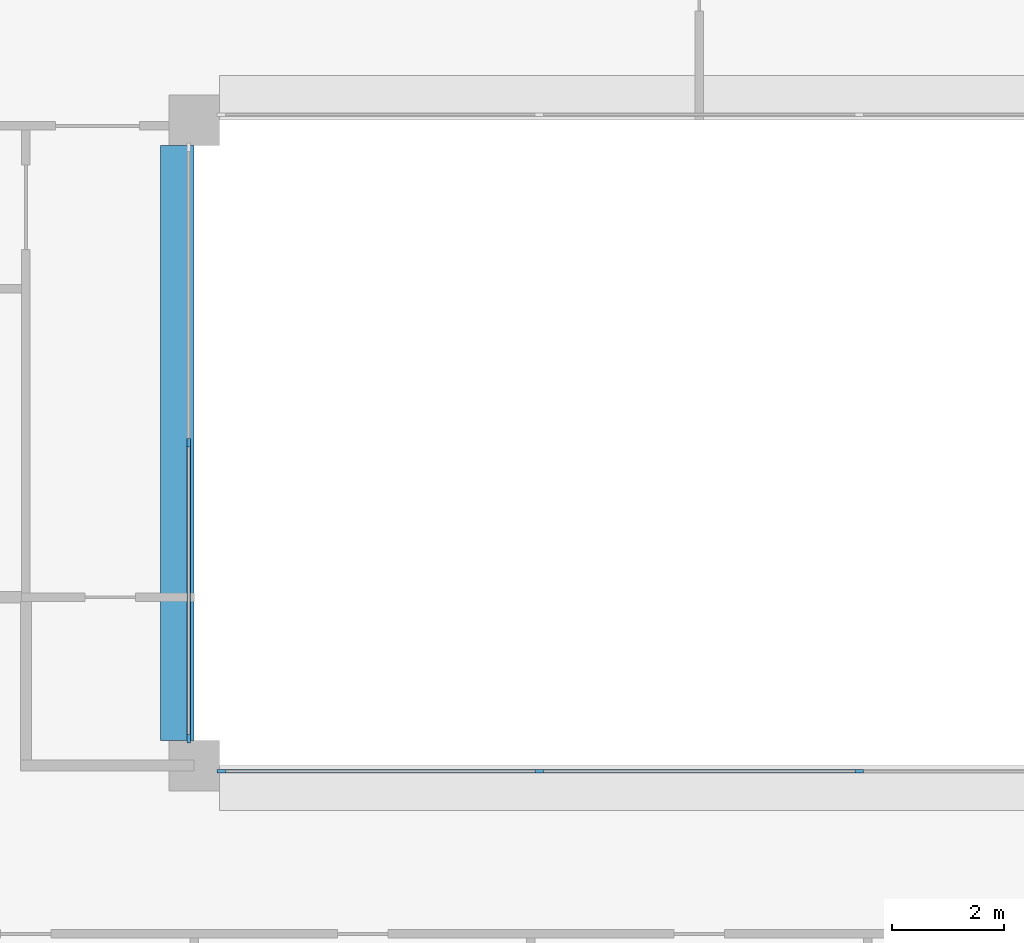
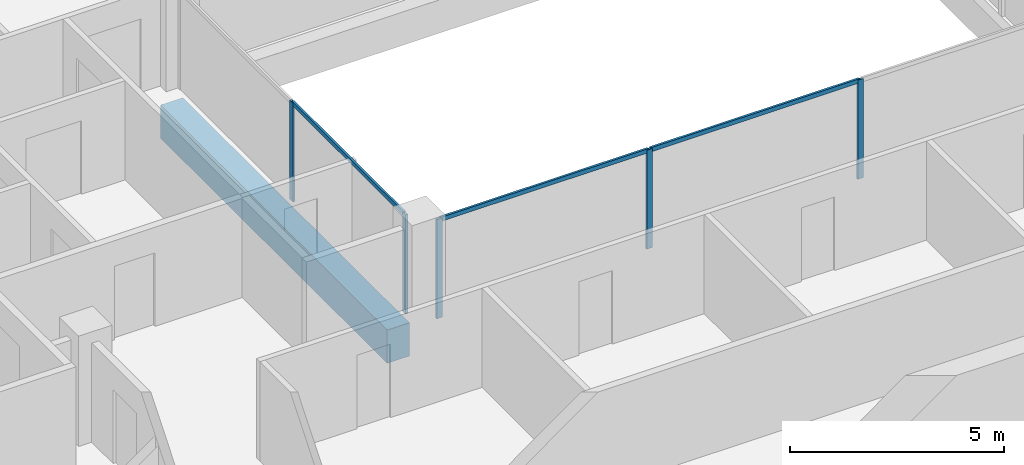
# One storey, part 2 of 16: 8 members, 1 beam, 2 elements without a shape of their own.
"""IFC4 building model written with IfcOpenShell, lengths in metres."""

import ifcopenshell
import ifcopenshell.guid

model = None  # the IFC model being written
_history = None  # IfcOwnerHistory: only IFC2X3 demands one
_inside = {}  # id of a spatial element -> (the spatial element, [elements in it])
_under = {}  # id of a project, library or spatial element -> (it, [spatial elements below it])
_declared = {}  # id of a project -> (the project, [libraries it declares])
_typed = {}  # id of a type object -> (the type object, [elements of that type])
_made_of = {}  # id of a material, layer set ... -> (it, [elements and type objects made of it])


def new_model(schema):
    """Start an empty IFC model of exactly this schema.

    Asked for "IFC4X3", IfcOpenShell would pick the latest addendum, in which some entities
    have other attributes; the version numbers below select the first issue.
    IFC2X3 requires an IfcOwnerHistory on every rooted entity: one is made here for all.
    """
    global model, _history
    if schema == "IFC4X3":
        model = ifcopenshell.file(schema_version=(4, 3, 0, 0))
    else:
        model = ifcopenshell.file(schema=schema)
    _inside.clear()
    _under.clear()
    _declared.clear()
    _typed.clear()
    _made_of.clear()
    _history = None
    if model.schema == "IFC2X3":
        org = make("IfcOrganization", Name="unknown")
        user = make(
            "IfcPersonAndOrganization",
            ThePerson=make("IfcPerson", FamilyName="unknown"),
            TheOrganization=org,
        )
        app = make(
            "IfcApplication",
            ApplicationDeveloper=org,
            Version="unknown",
            ApplicationFullName="unknown",
            ApplicationIdentifier="unknown",
        )
        _history = make(
            "IfcOwnerHistory",
            OwningUser=user,
            OwningApplication=app,
            ChangeAction="ADDED",
            CreationDate=0,
        )
    return model


def make(cls, **values):
    """One entity of the class cls with the attributes given. An attribute that is None is left unset."""
    return model.create_entity(
        cls, **{name: value for name, value in values.items() if value is not None}
    )


def rooted(cls, **values):
    """An entity with a GlobalId (a new one), such as an element, a storey or a relation."""
    return make(cls, GlobalId=ifcopenshell.guid.new(), OwnerHistory=_history, **values)


def si_unit(unit_type, name, prefix=None):
    """IfcSIUnit, for example si_unit("LENGTHUNIT", "METRE", prefix="MILLI")."""
    return make("IfcSIUnit", UnitType=unit_type, Prefix=prefix, Name=name)


def assignment(units):
    """IfcUnitAssignment: the units of a project."""
    return None if units is None else make("IfcUnitAssignment", Units=units)


def point(xyz):
    """IfcCartesianPoint."""
    return None if xyz is None else make("IfcCartesianPoint", Coordinates=xyz)


def direction(xyz):
    """IfcDirection."""
    return None if xyz is None else make("IfcDirection", DirectionRatios=xyz)


def frame(location, z_axis=None, x_axis=None):
    """IfcAxis2Placement3D, a coordinate frame: its origin and axes. An axis left out is left unset."""
    return make(
        "IfcAxis2Placement3D",
        Location=point(location),
        Axis=direction(z_axis),
        RefDirection=direction(x_axis),
    )


def frame_2d(location, x_axis=None):
    """IfcAxis2Placement2D, a coordinate frame in the plane: its origin and x axis."""
    return make(
        "IfcAxis2Placement2D", Location=point(location), RefDirection=direction(x_axis)
    )


def origin():
    """The frame at (0, 0, 0) with its axes left unset."""
    return frame((0.0, 0.0, 0.0))


def origin_2d():
    """The frame at (0, 0) in the plane with its x axis left unset."""
    return frame_2d((0.0, 0.0))


def place(relative_to, where):
    """IfcLocalPlacement: puts the frame where relative to a parent placement (None: the world)."""
    return make(
        "IfcLocalPlacement", PlacementRelTo=relative_to, RelativePlacement=where
    )


def context(
    kind, dimensions, precision=None, world=None, true_north=None, identifier=None
):
    """IfcGeometricRepresentationContext, for example the 3D "Model" context."""
    return make(
        "IfcGeometricRepresentationContext",
        ContextIdentifier=identifier,
        ContextType=kind,
        CoordinateSpaceDimension=dimensions,
        Precision=precision,
        WorldCoordinateSystem=world,
        TrueNorth=true_north,
    )


def subcontext(parent, identifier, kind, view, scale=None):
    """IfcGeometricRepresentationSubContext, for example "Body" below "Model"."""
    return make(
        "IfcGeometricRepresentationSubContext",
        ContextIdentifier=identifier,
        ContextType=kind,
        ParentContext=parent,
        TargetScale=scale,
        TargetView=view,
    )


def project(units=None, contexts=None):
    """IfcProject with its units and contexts."""
    return rooted(
        "IfcProject",
        Name="project",
        RepresentationContexts=contexts,
        UnitsInContext=assignment(units),
    )


def spatial(cls, under=None, at=None, **own):
    """A site, building, storey or space (cls), placed at a placement, below another one or the project."""
    s = rooted(cls, ObjectPlacement=at, **own)
    if under is not None:
        _under.setdefault(under.id(), (under, []))[1].append(s)
    return s


def profile(cls, at=None, kind="AREA", **sizes):
    """A parametric profile (cls). Its sizes go by their IFC names, for example OverallWidth=200.0."""
    return make(cls, ProfileType=kind, Position=at, **sizes)


def rectangle(**sizes):
    """IfcRectangleProfileDef."""
    return profile("IfcRectangleProfileDef", **sizes)


def extrude(swept, where, along, depth):
    """IfcExtrudedAreaSolid: the profile swept, set in the frame where, extruded along a direction by depth."""
    return make(
        "IfcExtrudedAreaSolid",
        SweptArea=swept,
        Position=where,
        ExtrudedDirection=direction(along),
        Depth=depth,
    )


def shape(context_of_items, identifier, shape_type, items):
    """IfcShapeRepresentation: the items that make up one representation, for example the "Body"."""
    return make(
        "IfcShapeRepresentation",
        ContextOfItems=context_of_items,
        RepresentationIdentifier=identifier,
        RepresentationType=shape_type,
        Items=items,
    )


def material(Name=None, Category=None):
    """IfcMaterial."""
    return make("IfcMaterial", Name=Name, Category=Category)


def layer(
    of_material, thickness, ventilated=None, Name=None, Category=None, Priority=None
):
    """IfcMaterialLayer: one layer of a wall or slab, of a material (None: an air gap)."""
    return make(
        "IfcMaterialLayer",
        Material=of_material,
        LayerThickness=thickness,
        IsVentilated=ventilated,
        Name=Name,
        Category=Category,
        Priority=Priority,
    )


def layer_set(layers, Name=None):
    """IfcMaterialLayerSet."""
    return make("IfcMaterialLayerSet", MaterialLayers=layers, LayerSetName=Name)


def material_profile(
    of_material, cross_section, Name=None, Category=None, Priority=None
):
    """IfcMaterialProfile: a cross section and its material."""
    return make(
        "IfcMaterialProfile",
        Name=Name,
        Material=of_material,
        Profile=cross_section,
        Priority=Priority,
        Category=Category,
    )


def profile_set(profiles, Name=None, composite=None):
    """IfcMaterialProfileSet."""
    return make(
        "IfcMaterialProfileSet",
        Name=Name,
        MaterialProfiles=profiles,
        CompositeProfile=composite,
    )


def made_of(thing, what):
    """Note that an element or type object is made of a material, layer set ...; save() writes the relation."""
    if what is not None:
        _made_of.setdefault(what.id(), (what, []))[1].append(thing)
    return thing


def type_object(cls, material=None, **own):
    """A type object (cls), such as IfcWallType, which elements share."""
    return made_of(rooted(cls, **own), material)


def element(
    cls,
    number,
    at=None,
    inside=None,
    cuts=None,
    type_object=None,
    material=None,
    context=None,
    identifier="Body",
    shape_type=None,
    held_by="IfcProductDefinitionShape",
    body=None,
    shapes=None,
    **own,
):
    """One element of the class cls, such as IfcWall. Its Tag is "e" and its number.

    at: its placement. inside: the storey or other place that contains it. cuts: it is an
    opening in that element (IfcRelVoidsElement). A single representation is given by context,
    identifier, shape_type and body (its items); several are given by shapes. held_by: the class
    of the entity that holds the representations. save() writes the other relations.
    """
    e = rooted(cls, Tag="e%d" % number, ObjectPlacement=at, **own)
    if body is not None:
        shapes = [shape(context, identifier, shape_type, body)]
    if shapes is not None:
        e.Representation = make(held_by, Representations=shapes)
    if inside is not None:
        _inside.setdefault(inside.id(), (inside, []))[1].append(e)
    if cuts is not None:
        rooted(
            "IfcRelVoidsElement", RelatingBuildingElement=cuts, RelatedOpeningElement=e
        )
    if type_object is not None:
        _typed.setdefault(type_object.id(), (type_object, []))[1].append(e)
    return made_of(e, material)


def aggregate(whole, parts):
    """IfcRelAggregates: a whole, such as a stair, and the parts it consists of."""
    return rooted("IfcRelAggregates", RelatingObject=whole, RelatedObjects=parts)


def save(model, path):
    """Write the relations noted so far, then the file.

    IfcRelAggregates (storeys below a building ...), IfcRelContainedInSpatialStructure (elements
    in a storey), IfcRelDefinesByType, IfcRelAssociatesMaterial and IfcRelDeclares: one each for
    every whole, place, type object, material and project.
    """
    for whole, parts in _under.values():
        aggregate(whole, parts)
    for where, things in _inside.values():
        rooted(
            "IfcRelContainedInSpatialStructure",
            RelatedElements=things,
            RelatingStructure=where,
        )
    for kind, things in _typed.values():
        rooted("IfcRelDefinesByType", RelatedObjects=things, RelatingType=kind)
    for what, things in _made_of.values():
        rooted("IfcRelAssociatesMaterial", RelatedObjects=things, RelatingMaterial=what)
    for by, libraries in _declared.values():
        rooted("IfcRelDeclares", RelatingContext=by, RelatedDefinitions=libraries)
    model.write(path)


model = new_model("IFC4")

# Units and contexts
model_context = context("Model", 3, precision=1e-05, world=origin(), true_north=direction((0.0, 1.0)))
body_context = subcontext(model_context, "Body", "Model", "MODEL_VIEW")
ifc_project = project(units=[si_unit("LENGTHUNIT", "METRE"), si_unit("AREAUNIT", "SQUARE_METRE"), si_unit("VOLUMEUNIT", "CUBIC_METRE"), si_unit("PLANEANGLEUNIT", "RADIAN"), si_unit("MASSUNIT", "GRAM", prefix="KILO")], contexts=[model_context])

# Site, building, storey
site_placement = place(None, origin())
site = spatial("IfcSite", under=ifc_project, at=site_placement, CompositionType="ELEMENT")
building_placement = place(site_placement, origin())
building = spatial("IfcBuilding", under=site, at=building_placement, Name="Brigalow Station Residences", CompositionType="ELEMENT")
storey_placement = place(building_placement, frame((0.0, 0.0, 201.14990234375)))
storey = spatial("IfcBuildingStorey", under=building, at=storey_placement, Name="L57", CompositionType="ELEMENT", Elevation=201.14990234375)

# Beam
ifc_material_1 = material(Name="Concrete C65", Category="concrete")
ifc_material_profile_1 = material_profile(ifc_material_1, rectangle(XDim=0.60009765625, YDim=0.949951171875, at=origin_2d()), Name="RC600x950")
ifc_profile_set_1 = profile_set([ifc_material_profile_1], Name="Concrete C65")
beam_type = type_object("IfcBeamType", Name="ATRIUM EDGE GIRDER 600x950 C65", PredefinedType="BEAM", material=ifc_profile_set_1)
beam_placement = place(storey_placement, frame((26.699951171875, 24.449951171875, -0.794921875), z_axis=(0.0, 1.0, 0.0), x_axis=(-1.0, 0.0, 0.0)))
element("IfcBeam", 1, at=beam_placement, inside=storey, type_object=beam_type, Name="ATRIUM EDGE GIRDER 3 L57", PredefinedType="BEAM", context=body_context, shape_type="SweptSolid", body=[
    extrude(rectangle(XDim=0.60009765625, YDim=0.949951171875, at=origin_2d()), origin(), (0.0, 0.0, 1.0), 10.60009765625),
])

# Curtain wall, members
ifc_material_2 = material(Name="Aluminium", Category="aluminium")
ifc_layer = layer(ifc_material_2, 0.14990234375)
ifc_layer_set = layer_set([ifc_layer], Name="ATRIUM FIRE-RATED GLAZING CURTAIN WALL")
curtain_wall_type = type_object("IfcCurtainWallType", Name="ATRIUM FIRE-RATED GLAZING CURTAIN WALL", PredefinedType="NOTDEFINED", material=ifc_layer_set)
curtain_wall_1_placement = place(storey_placement, origin())
curtain_wall_1 = element("IfcCurtainWall", 2, at=curtain_wall_1_placement, inside=storey, type_object=curtain_wall_type, Name="L57/cw/atrium-S", PredefinedType="NOTDEFINED")
ifc_material_3 = material(Name="Aluminium", Category="aluminium")
ifc_material_profile_2 = material_profile(ifc_material_3, rectangle(XDim=0.06005859375, YDim=0.14990234375, at=origin_2d()), Name="ATRIUM FIRE-RATED GLAZING MULLION 60x150")
ifc_profile_set_2 = profile_set([ifc_material_profile_2], Name="Aluminium")
member_type_1 = type_object("IfcMemberType", Name="ATRIUM FIRE-RATED GLAZING MULLION 60x150", PredefinedType="MULLION", material=ifc_profile_set_2)
member_1_placement = place(storey_placement, frame((27.47998046875, 23.89990234375, 0.0), z_axis=(0.0, 0.0, 1.0), x_axis=(0.0, 1.0, 0.0)))
member_1 = element("IfcMember", 3, at=member_1_placement, type_object=member_type_1, Name="L57/cw/atrium-S/M00", PredefinedType="MULLION", context=body_context, shape_type="SweptSolid", body=[
    extrude(rectangle(XDim=0.06005859375, YDim=0.14990234375, at=origin_2d()), origin(), (0.0, 0.0, 1.0), 2.830078125),
])
member_2_placement = place(storey_placement, frame((33.14990234375, 23.89990234375, 0.0), z_axis=(0.0, 0.0, 1.0), x_axis=(0.0, 1.0, 0.0)))
member_2 = element("IfcMember", 4, at=member_2_placement, type_object=member_type_1, Name="L57/cw/atrium-S/M01", PredefinedType="MULLION", context=body_context, shape_type="SweptSolid", body=[
    extrude(rectangle(XDim=0.06005859375, YDim=0.14990234375, at=origin_2d()), origin(), (0.0, 0.0, 1.0), 2.830078125),
])
member_3_placement = place(storey_placement, frame((38.85009765625, 23.89990234375, 0.0), z_axis=(0.0, 0.0, 1.0), x_axis=(0.0, 1.0, 0.0)))
member_3 = element("IfcMember", 5, at=member_3_placement, type_object=member_type_1, Name="L57/cw/atrium-S/M02", PredefinedType="MULLION", context=body_context, shape_type="SweptSolid", body=[
    extrude(rectangle(XDim=0.06005859375, YDim=0.14990234375, at=origin_2d()), origin(), (0.0, 0.0, 1.0), 2.830078125),
])

curtain_wall_2_placement = place(storey_placement, origin())
curtain_wall_2 = element("IfcCurtainWall", 6, at=curtain_wall_2_placement, inside=storey, type_object=curtain_wall_type, Name="L57/cw/atrium-W", PredefinedType="NOTDEFINED")
member_4_placement = place(storey_placement, frame((26.89990234375, 29.75, 0.0), z_axis=(0.0, 0.0, 1.0), x_axis=(1.0, 0.0, 0.0)))
member_4 = element("IfcMember", 7, at=member_4_placement, type_object=member_type_1, Name="L57/cw/atrium-W/M01", PredefinedType="MULLION", context=body_context, shape_type="SweptSolid", body=[
    extrude(rectangle(XDim=0.06005859375, YDim=0.14990234375, at=origin_2d()), origin(), (0.0, 0.0, 1.0), 2.830078125),
])
member_5_placement = place(storey_placement, frame((26.89990234375, 24.47998046875, 0.0), z_axis=(0.0, 0.0, 1.0), x_axis=(1.0, 0.0, 0.0)))
member_5 = element("IfcMember", 8, at=member_5_placement, type_object=member_type_1, Name="L57/cw/atrium-W/M02", PredefinedType="MULLION", context=body_context, shape_type="SweptSolid", body=[
    extrude(rectangle(XDim=0.06005859375, YDim=0.14990234375, at=origin_2d()), origin(), (0.0, 0.0, 1.0), 2.830078125),
])

# Member
ifc_material_4 = material(Name="Aluminium", Category="aluminium")
ifc_material_profile_3 = material_profile(ifc_material_4, rectangle(XDim=0.06005859375, YDim=0.1201171875, at=origin_2d()), Name="ATRIUM FIRE-RATED GLAZING TRANSOM 60x120")
ifc_profile_set_3 = profile_set([ifc_material_profile_3], Name="Aluminium")
member_type_2 = type_object("IfcMemberType", Name="ATRIUM FIRE-RATED GLAZING TRANSOM 60x120", PredefinedType="USERDEFINED", material=ifc_profile_set_3)
member_6_placement = place(storey_placement, frame((27.510009765625, 23.89990234375, 2.800048828125), z_axis=(1.0, 0.0, 0.0), x_axis=(0.0, 1.0, 0.0)))
member_6 = element("IfcMember", 9, at=member_6_placement, type_object=member_type_2, Name="L57/cw/atrium-S/T00-00", ObjectType="TRANSOM", PredefinedType="USERDEFINED", context=body_context, shape_type="SweptSolid", body=[
    extrude(rectangle(XDim=0.06005859375, YDim=0.1201171875, at=origin_2d()), origin(), (0.0, 0.0, 1.0), 5.610107421875),
])

member_7_placement = place(storey_placement, frame((33.179931640625, 23.89990234375, 2.800048828125), z_axis=(1.0, 0.0, 0.0), x_axis=(0.0, 1.0, 0.0)))
member_7 = element("IfcMember", 10, at=member_7_placement, type_object=member_type_2, Name="L57/cw/atrium-S/T01-00", ObjectType="TRANSOM", PredefinedType="USERDEFINED", context=body_context, shape_type="SweptSolid", body=[
    extrude(rectangle(XDim=0.06005859375, YDim=0.1201171875, at=origin_2d()), origin(), (0.0, 0.0, 1.0), 5.64013671875),
])

aggregate(curtain_wall_1, [member_1, member_2, member_3, member_6, member_7])

member_8_placement = place(storey_placement, frame((26.89990234375, 29.719970703125, 2.800048828125), z_axis=(0.0, -1.0, 0.0), x_axis=(1.0, 0.0, 0.0)))
member_8 = element("IfcMember", 11, at=member_8_placement, type_object=member_type_2, Name="L57/cw/atrium-W/T01-00", ObjectType="TRANSOM", PredefinedType="USERDEFINED", context=body_context, shape_type="SweptSolid", body=[
    extrude(rectangle(XDim=0.06005859375, YDim=0.1201171875, at=origin_2d()), origin(), (0.0, 0.0, 1.0), 5.2099609375),
])

aggregate(curtain_wall_2, [member_4, member_5, member_8])

save(model, "model.ifc")
